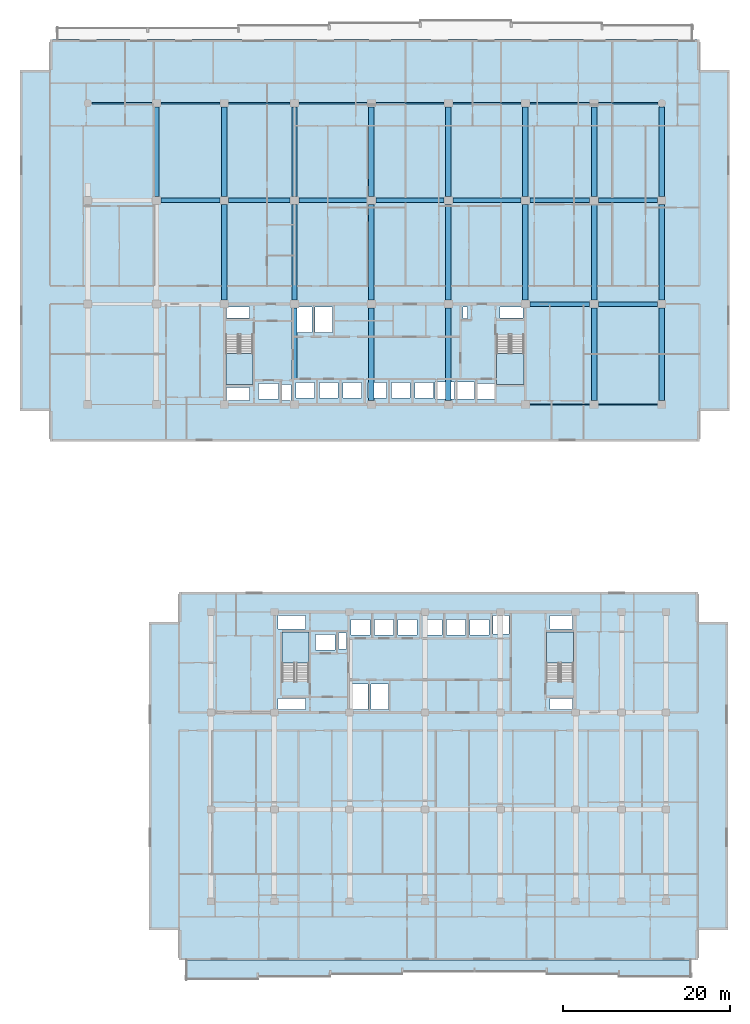
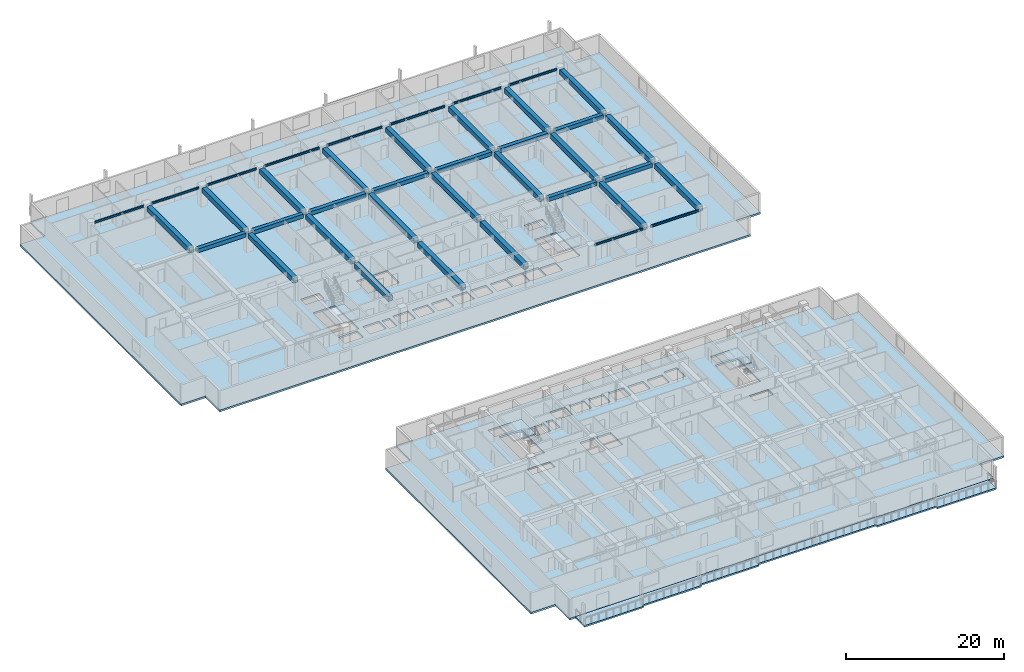
# One storey, part 2 of 23: 39 beams, 7 slabs, 4 elements without a shape of their own.
"""IFC4 building model written with IfcOpenShell, lengths in metres."""

from ifc_helpers import new_model, si_unit, direction, frame, origin, origin_2d, place, context, subcontext, project, spatial, polyline, rectangle, i_section, outline, extrude, material, layer, layer_set, material_profile, profile_set, type_object, element, aggregate, save


model = new_model("IFC4")

# Units and contexts
model_context = context("Model", 3, precision=1e-05, world=origin(), true_north=direction((0.0, 1.0)))
body_context = subcontext(model_context, "Body", "Model", "MODEL_VIEW")
ifc_project = project(units=[si_unit("LENGTHUNIT", "METRE"), si_unit("AREAUNIT", "SQUARE_METRE"), si_unit("VOLUMEUNIT", "CUBIC_METRE"), si_unit("PLANEANGLEUNIT", "RADIAN"), si_unit("MASSUNIT", "GRAM", prefix="KILO")], contexts=[model_context])

# Site, building, storey
site_placement = place(None, origin())
site = spatial("IfcSite", under=ifc_project, at=site_placement, CompositionType="ELEMENT")
building_placement = place(site_placement, origin())
building = spatial("IfcBuilding", under=site, at=building_placement, Name="Korimba Cascade Residences", CompositionType="ELEMENT")
storey_placement = place(building_placement, frame((0.0, 0.0, 33.75)))
storey = spatial("IfcBuildingStorey", under=building, at=storey_placement, Name="L08", CompositionType="ELEMENT", Elevation=33.75)

# Beams
ifc_material_1 = material(Name="Concrete C50/60", Category="concrete")
ifc_material_profile_1 = material_profile(ifc_material_1, rectangle(XDim=0.550048828125, YDim=0.60009765625, at=origin_2d()), Name="Concrete C50/60")
ifc_profile_set_1 = profile_set([ifc_material_profile_1], Name="Concrete C50/60")
beam_type_1 = type_object("IfcBeamType", Name="BM-RC-B600", PredefinedType="BEAM", material=ifc_profile_set_1)
beam_1_placement = place(storey_placement, frame((112.625, 67.199951171875, 2.669921875), z_axis=(1.0, 0.0, 0.0), x_axis=(0.0, 1.0, 0.0)))
element("IfcBeam", 1, at=beam_1_placement, inside=storey, type_object=beam_type_1, Name="L08 T1 E-W Girder Y2 Bay 7", PredefinedType="BEAM", context=body_context, shape_type="SweptSolid", body=[
    extrude(rectangle(XDim=0.550048828125, YDim=0.60009765625, at=origin_2d()), origin(), (0.0, 0.0, 1.0), 7.14990234375),
])
for number, where, z_axis, x_axis, name in (
    (2, (120.824951171875, 67.199951171875, 2.669921875), (1.0, 0.0, 0.0), (0.0, 1.0, 0.0), "L08 T1 E-W Girder Y2 Bay 8"),
    (3, (68.52490234375, 79.60009765625, 2.669921875), (1.0, 0.0, 0.0), (0.0, 1.0, 0.0), "L08 T1 E-W Girder Y3 Bay 2"),
):
    element("IfcBeam", number, at=place(storey_placement, frame(where, z_axis=z_axis, x_axis=x_axis)), inside=storey, type_object=beam_type_1, Name=name, PredefinedType="BEAM", context=body_context, shape_type="SweptSolid", body=[
        extrude(rectangle(XDim=0.550048828125, YDim=0.60009765625, at=origin_2d()), origin(), (0.0, 0.0, 1.0), 7.050048828125),
    ])
beam_2_placement = place(storey_placement, frame((76.625, 79.60009765625, 2.669921875), z_axis=(1.0, 0.0, 0.0), x_axis=(0.0, 1.0, 0.0)))
element("IfcBeam", 4, at=beam_2_placement, inside=storey, type_object=beam_type_1, Name="L08 T1 E-W Girder Y3 Bay 3", PredefinedType="BEAM", context=body_context, shape_type="SweptSolid", body=[
    extrude(rectangle(XDim=0.550048828125, YDim=0.60009765625, at=origin_2d()), origin(), (0.0, 0.0, 1.0), 7.35009765625),
])
beam_3_placement = place(storey_placement, frame((85.02490234375, 79.60009765625, 2.669921875), z_axis=(1.0, 0.0, 0.0), x_axis=(0.0, 1.0, 0.0)))
element("IfcBeam", 5, at=beam_3_placement, inside=storey, type_object=beam_type_1, Name="L08 T1 E-W Girder Y3 Bay 4", PredefinedType="BEAM", context=body_context, shape_type="SweptSolid", body=[
    extrude(rectangle(XDim=0.550048828125, YDim=0.60009765625, at=origin_2d()), origin(), (0.0, 0.0, 1.0), 8.150146484375),
])
for number, where, z_axis, x_axis, name in (
    (6, (94.22509765625, 79.60009765625, 2.669921875), (1.0, 0.0, 0.0), (0.0, 1.0, 0.0), "L08 T1 E-W Girder Y3 Bay 5"),
    (7, (103.425048828125, 79.60009765625, 2.669921875), (1.0, 0.0, 0.0), (0.0, 1.0, 0.0), "L08 T1 E-W Girder Y3 Bay 6"),
):
    element("IfcBeam", number, at=place(storey_placement, frame(where, z_axis=z_axis, x_axis=x_axis)), inside=storey, type_object=beam_type_1, Name=name, PredefinedType="BEAM", context=body_context, shape_type="SweptSolid", body=[
        extrude(rectangle(XDim=0.550048828125, YDim=0.60009765625, at=origin_2d()), origin(), (0.0, 0.0, 1.0), 8.14990234375),
    ])
beam_4_placement = place(storey_placement, frame((112.625, 79.60009765625, 2.669921875), z_axis=(1.0, 0.0, 0.0), x_axis=(0.0, 1.0, 0.0)))
element("IfcBeam", 8, at=beam_4_placement, inside=storey, type_object=beam_type_1, Name="L08 T1 E-W Girder Y3 Bay 7", PredefinedType="BEAM", context=body_context, shape_type="SweptSolid", body=[
    extrude(rectangle(XDim=0.550048828125, YDim=0.60009765625, at=origin_2d()), origin(), (0.0, 0.0, 1.0), 7.14990234375),
])
beam_5_placement = place(storey_placement, frame((120.824951171875, 79.60009765625, 2.669921875), z_axis=(1.0, 0.0, 0.0), x_axis=(0.0, 1.0, 0.0)))
element("IfcBeam", 9, at=beam_5_placement, inside=storey, type_object=beam_type_1, Name="L08 T1 E-W Girder Y3 Bay 8", PredefinedType="BEAM", context=body_context, shape_type="SweptSolid", body=[
    extrude(rectangle(XDim=0.550048828125, YDim=0.60009765625, at=origin_2d()), origin(), (0.0, 0.0, 1.0), 7.050048828125),
])
ifc_material_profile_2 = material_profile(ifc_material_1, rectangle(XDim=0.64990234375, YDim=0.75, at=origin_2d()), Name="Concrete C50/60")
ifc_profile_set_2 = profile_set([ifc_material_profile_2], Name="Concrete C50/60")
beam_type_2 = type_object("IfcBeamType", Name="BM-RC-G750", PredefinedType="BEAM", material=ifc_profile_set_2)
beam_6_placement = place(storey_placement, frame((68.0, 80.074951171875, 2.594970703125), z_axis=(0.0, 1.0, 0.0), x_axis=(-1.0, 0.0, 0.0)))
element("IfcBeam", 10, at=beam_6_placement, inside=storey, type_object=beam_type_2, Name="L08 T1 N-S Girder X2 Seg 3", PredefinedType="BEAM", context=body_context, shape_type="SweptSolid", body=[
    extrude(rectangle(XDim=0.64990234375, YDim=0.75, at=origin_2d()), origin(), (0.0, 0.0, 1.0), 10.650146484375),
])
beam_7_placement = place(storey_placement, frame((76.10009765625, 67.675048828125, 2.594970703125), z_axis=(0.0, 1.0, 0.0), x_axis=(-1.0, 0.0, 0.0)))
element("IfcBeam", 11, at=beam_7_placement, inside=storey, type_object=beam_type_2, Name="L08 T1 N-S Girder X3 Seg 2", PredefinedType="BEAM", context=body_context, shape_type="SweptSolid", body=[
    extrude(rectangle(XDim=0.64990234375, YDim=0.75, at=origin_2d()), origin(), (0.0, 0.0, 1.0), 11.449951171875),
])
beam_8_placement = place(storey_placement, frame((76.10009765625, 80.074951171875, 2.594970703125), z_axis=(0.0, 1.0, 0.0), x_axis=(-1.0, 0.0, 0.0)))
element("IfcBeam", 12, at=beam_8_placement, inside=storey, type_object=beam_type_2, Name="L08 T1 N-S Girder X3 Seg 3", PredefinedType="BEAM", context=body_context, shape_type="SweptSolid", body=[
    extrude(rectangle(XDim=0.64990234375, YDim=0.75, at=origin_2d()), origin(), (0.0, 0.0, 1.0), 10.650146484375),
])
beam_9_placement = place(storey_placement, frame((84.5, 58.159912109375, 2.594970703125), z_axis=(0.0, 1.0, 0.0), x_axis=(-1.0, 0.0, 0.0)))
element("IfcBeam", 13, at=beam_9_placement, inside=storey, type_object=beam_type_2, Name="L08 T1 N-S Girder X4 Seg 1", PredefinedType="BEAM", context=body_context, shape_type="SweptSolid", body=[
    extrude(rectangle(XDim=0.64990234375, YDim=0.75, at=origin_2d()), origin(), (0.0, 0.0, 1.0), 8.565185546875),
])
beam_10_placement = place(storey_placement, frame((84.5, 67.675048828125, 2.594970703125), z_axis=(0.0, 1.0, 0.0), x_axis=(-1.0, 0.0, 0.0)))
element("IfcBeam", 14, at=beam_10_placement, inside=storey, type_object=beam_type_2, Name="L08 T1 N-S Girder X4 Seg 2", PredefinedType="BEAM", context=body_context, shape_type="SweptSolid", body=[
    extrude(rectangle(XDim=0.64990234375, YDim=0.75, at=origin_2d()), origin(), (0.0, 0.0, 1.0), 11.449951171875),
])
beam_11_placement = place(storey_placement, frame((84.5, 80.074951171875, 2.594970703125), z_axis=(0.0, 1.0, 0.0), x_axis=(-1.0, 0.0, 0.0)))
element("IfcBeam", 15, at=beam_11_placement, inside=storey, type_object=beam_type_2, Name="L08 T1 N-S Girder X4 Seg 3", PredefinedType="BEAM", context=body_context, shape_type="SweptSolid", body=[
    extrude(rectangle(XDim=0.64990234375, YDim=0.75, at=origin_2d()), origin(), (0.0, 0.0, 1.0), 10.650146484375),
])
beam_12_placement = place(storey_placement, frame((93.699951171875, 55.675048828125, 2.594970703125), z_axis=(0.0, 1.0, 0.0), x_axis=(-1.0, 0.0, 0.0)))
element("IfcBeam", 16, at=beam_12_placement, inside=storey, type_object=beam_type_2, Name="L08 T1 N-S Girder X5 Seg 1", PredefinedType="BEAM", context=body_context, shape_type="SweptSolid", body=[
    extrude(rectangle(XDim=0.64990234375, YDim=0.75, at=origin_2d()), origin(), (0.0, 0.0, 1.0), 11.050048828125),
])
beam_13_placement = place(storey_placement, frame((93.699951171875, 67.675048828125, 2.594970703125), z_axis=(0.0, 1.0, 0.0), x_axis=(-1.0, 0.0, 0.0)))
element("IfcBeam", 17, at=beam_13_placement, inside=storey, type_object=beam_type_2, Name="L08 T1 N-S Girder X5 Seg 2", PredefinedType="BEAM", context=body_context, shape_type="SweptSolid", body=[
    extrude(rectangle(XDim=0.64990234375, YDim=0.75, at=origin_2d()), origin(), (0.0, 0.0, 1.0), 11.449951171875),
])
beam_14_placement = place(storey_placement, frame((93.699951171875, 80.074951171875, 2.594970703125), z_axis=(0.0, 1.0, 0.0), x_axis=(-1.0, 0.0, 0.0)))
element("IfcBeam", 18, at=beam_14_placement, inside=storey, type_object=beam_type_2, Name="L08 T1 N-S Girder X5 Seg 3", PredefinedType="BEAM", context=body_context, shape_type="SweptSolid", body=[
    extrude(rectangle(XDim=0.64990234375, YDim=0.75, at=origin_2d()), origin(), (0.0, 0.0, 1.0), 10.650146484375),
])
beam_15_placement = place(storey_placement, frame((102.89990234375, 55.675048828125, 2.594970703125), z_axis=(0.0, 1.0, 0.0), x_axis=(-1.0, 0.0, 0.0)))
element("IfcBeam", 19, at=beam_15_placement, inside=storey, type_object=beam_type_2, Name="L08 T1 N-S Girder X6 Seg 1", PredefinedType="BEAM", context=body_context, shape_type="SweptSolid", body=[
    extrude(rectangle(XDim=0.64990234375, YDim=0.75, at=origin_2d()), origin(), (0.0, 0.0, 1.0), 11.050048828125),
])
beam_16_placement = place(storey_placement, frame((102.89990234375, 67.675048828125, 2.594970703125), z_axis=(0.0, 1.0, 0.0), x_axis=(-1.0, 0.0, 0.0)))
element("IfcBeam", 20, at=beam_16_placement, inside=storey, type_object=beam_type_2, Name="L08 T1 N-S Girder X6 Seg 2", PredefinedType="BEAM", context=body_context, shape_type="SweptSolid", body=[
    extrude(rectangle(XDim=0.64990234375, YDim=0.75, at=origin_2d()), origin(), (0.0, 0.0, 1.0), 11.449951171875),
])
beam_17_placement = place(storey_placement, frame((102.89990234375, 80.074951171875, 2.594970703125), z_axis=(0.0, 1.0, 0.0), x_axis=(-1.0, 0.0, 0.0)))
element("IfcBeam", 21, at=beam_17_placement, inside=storey, type_object=beam_type_2, Name="L08 T1 N-S Girder X6 Seg 3", PredefinedType="BEAM", context=body_context, shape_type="SweptSolid", body=[
    extrude(rectangle(XDim=0.64990234375, YDim=0.75, at=origin_2d()), origin(), (0.0, 0.0, 1.0), 10.650146484375),
])
beam_18_placement = place(storey_placement, frame((112.10009765625, 67.675048828125, 2.594970703125), z_axis=(0.0, 1.0, 0.0), x_axis=(-1.0, 0.0, 0.0)))
element("IfcBeam", 22, at=beam_18_placement, inside=storey, type_object=beam_type_2, Name="L08 T1 N-S Girder X7 Seg 2", PredefinedType="BEAM", context=body_context, shape_type="SweptSolid", body=[
    extrude(rectangle(XDim=0.64990234375, YDim=0.75, at=origin_2d()), origin(), (0.0, 0.0, 1.0), 11.449951171875),
])
beam_19_placement = place(storey_placement, frame((112.10009765625, 80.074951171875, 2.594970703125), z_axis=(0.0, 1.0, 0.0), x_axis=(-1.0, 0.0, 0.0)))
element("IfcBeam", 23, at=beam_19_placement, inside=storey, type_object=beam_type_2, Name="L08 T1 N-S Girder X7 Seg 3", PredefinedType="BEAM", context=body_context, shape_type="SweptSolid", body=[
    extrude(rectangle(XDim=0.64990234375, YDim=0.75, at=origin_2d()), origin(), (0.0, 0.0, 1.0), 10.650146484375),
])
beam_20_placement = place(storey_placement, frame((120.300048828125, 55.675048828125, 2.594970703125), z_axis=(0.0, 1.0, 0.0), x_axis=(-1.0, 0.0, 0.0)))
element("IfcBeam", 24, at=beam_20_placement, inside=storey, type_object=beam_type_2, Name="L08 T1 N-S Girder X8 Seg 1", PredefinedType="BEAM", context=body_context, shape_type="SweptSolid", body=[
    extrude(rectangle(XDim=0.64990234375, YDim=0.75, at=origin_2d()), origin(), (0.0, 0.0, 1.0), 11.050048828125),
])
beam_21_placement = place(storey_placement, frame((120.300048828125, 67.675048828125, 2.594970703125), z_axis=(0.0, 1.0, 0.0), x_axis=(-1.0, 0.0, 0.0)))
element("IfcBeam", 25, at=beam_21_placement, inside=storey, type_object=beam_type_2, Name="L08 T1 N-S Girder X8 Seg 2", PredefinedType="BEAM", context=body_context, shape_type="SweptSolid", body=[
    extrude(rectangle(XDim=0.64990234375, YDim=0.75, at=origin_2d()), origin(), (0.0, 0.0, 1.0), 11.449951171875),
])
beam_22_placement = place(storey_placement, frame((120.300048828125, 80.074951171875, 2.594970703125), z_axis=(0.0, 1.0, 0.0), x_axis=(-1.0, 0.0, 0.0)))
element("IfcBeam", 26, at=beam_22_placement, inside=storey, type_object=beam_type_2, Name="L08 T1 N-S Girder X8 Seg 3", PredefinedType="BEAM", context=body_context, shape_type="SweptSolid", body=[
    extrude(rectangle(XDim=0.64990234375, YDim=0.75, at=origin_2d()), origin(), (0.0, 0.0, 1.0), 10.650146484375),
])
beam_23_placement = place(storey_placement, frame((128.39990234375, 55.675048828125, 2.594970703125), z_axis=(0.0, 1.0, 0.0), x_axis=(-1.0, 0.0, 0.0)))
element("IfcBeam", 27, at=beam_23_placement, inside=storey, type_object=beam_type_2, Name="L08 T1 N-S Girder X9 Seg 1", PredefinedType="BEAM", context=body_context, shape_type="SweptSolid", body=[
    extrude(rectangle(XDim=0.64990234375, YDim=0.75, at=origin_2d()), origin(), (0.0, 0.0, 1.0), 11.050048828125),
])
beam_24_placement = place(storey_placement, frame((128.39990234375, 67.675048828125, 2.594970703125), z_axis=(0.0, 1.0, 0.0), x_axis=(-1.0, 0.0, 0.0)))
element("IfcBeam", 28, at=beam_24_placement, inside=storey, type_object=beam_type_2, Name="L08 T1 N-S Girder X9 Seg 2", PredefinedType="BEAM", context=body_context, shape_type="SweptSolid", body=[
    extrude(rectangle(XDim=0.64990234375, YDim=0.75, at=origin_2d()), origin(), (0.0, 0.0, 1.0), 11.449951171875),
])
beam_25_placement = place(storey_placement, frame((128.39990234375, 80.074951171875, 2.594970703125), z_axis=(0.0, 1.0, 0.0), x_axis=(-1.0, 0.0, 0.0)))
element("IfcBeam", 29, at=beam_25_placement, inside=storey, type_object=beam_type_2, Name="L08 T1 N-S Girder X9 Seg 3", PredefinedType="BEAM", context=body_context, shape_type="SweptSolid", body=[
    extrude(rectangle(XDim=0.64990234375, YDim=0.75, at=origin_2d()), origin(), (0.0, 0.0, 1.0), 10.650146484375),
])
ifc_material_2 = material(Name="Steel S355", Category="steel")
ifc_material_profile_3 = material_profile(ifc_material_2, i_section(OverallWidth=0.165771484375, OverallDepth=0.306640625, WebThickness=0.006591796875, FlangeThickness=0.01171875, FilletRadius=0.0087890625, at=origin_2d()), Name="Steel S355")
ifc_profile_set_3 = profile_set([ifc_material_profile_3], Name="Steel S355")
beam_type_3 = type_object("IfcBeamType", Name="BM-STL-UB305", PredefinedType="SPANDREL", material=ifc_profile_set_3)
beam_26_placement = place(storey_placement, frame((112.625, 55.199951171875, 2.816650390625), z_axis=(1.0, 0.0, 0.0), x_axis=(0.0, 1.0, 0.0)))
element("IfcBeam", 30, at=beam_26_placement, inside=storey, type_object=beam_type_3, Name="L08 T1 E-W Girder Y1 Bay 7", PredefinedType="SPANDREL", context=body_context, shape_type="SweptSolid", body=[
    extrude(i_section(OverallWidth=0.165771484375, OverallDepth=0.306640625, WebThickness=0.006591796875, FlangeThickness=0.01171875, FilletRadius=0.0087890625, at=origin_2d()), origin(), (0.0, 0.0, 1.0), 7.14990234375),
])
beam_27_placement = place(storey_placement, frame((120.824951171875, 55.199951171875, 2.816650390625), z_axis=(1.0, 0.0, 0.0), x_axis=(0.0, 1.0, 0.0)))
element("IfcBeam", 31, at=beam_27_placement, inside=storey, type_object=beam_type_3, Name="L08 T1 E-W Girder Y1 Bay 8", PredefinedType="SPANDREL", context=body_context, shape_type="SweptSolid", body=[
    extrude(i_section(OverallWidth=0.165771484375, OverallDepth=0.306640625, WebThickness=0.006591796875, FlangeThickness=0.01171875, FilletRadius=0.0087890625, at=origin_2d()), origin(), (0.0, 0.0, 1.0), 7.050048828125),
])
beam_28_placement = place(storey_placement, frame((60.27490234375, 91.199951171875, 2.816650390625), z_axis=(1.0, 0.0, 0.0), x_axis=(0.0, 1.0, 0.0)))
element("IfcBeam", 32, at=beam_28_placement, inside=storey, type_object=beam_type_3, Name="L08 T1 E-W Girder Y4 Bay 1", PredefinedType="SPANDREL", context=body_context, shape_type="SweptSolid", body=[
    extrude(i_section(OverallWidth=0.165771484375, OverallDepth=0.306640625, WebThickness=0.006591796875, FlangeThickness=0.01171875, FilletRadius=0.0087890625, at=origin_2d()), origin(), (0.0, 0.0, 1.0), 7.2001953125),
])
beam_29_placement = place(storey_placement, frame((68.52490234375, 91.199951171875, 2.816650390625), z_axis=(1.0, 0.0, 0.0), x_axis=(0.0, 1.0, 0.0)))
element("IfcBeam", 33, at=beam_29_placement, inside=storey, type_object=beam_type_3, Name="L08 T1 E-W Girder Y4 Bay 2", PredefinedType="SPANDREL", context=body_context, shape_type="SweptSolid", body=[
    extrude(i_section(OverallWidth=0.165771484375, OverallDepth=0.306640625, WebThickness=0.006591796875, FlangeThickness=0.01171875, FilletRadius=0.0087890625, at=origin_2d()), origin(), (0.0, 0.0, 1.0), 7.050048828125),
])
beam_30_placement = place(storey_placement, frame((76.625, 91.199951171875, 2.816650390625), z_axis=(1.0, 0.0, 0.0), x_axis=(0.0, 1.0, 0.0)))
element("IfcBeam", 34, at=beam_30_placement, inside=storey, type_object=beam_type_3, Name="L08 T1 E-W Girder Y4 Bay 3", PredefinedType="SPANDREL", context=body_context, shape_type="SweptSolid", body=[
    extrude(i_section(OverallWidth=0.165771484375, OverallDepth=0.306640625, WebThickness=0.006591796875, FlangeThickness=0.01171875, FilletRadius=0.0087890625, at=origin_2d()), origin(), (0.0, 0.0, 1.0), 7.35009765625),
])
beam_31_placement = place(storey_placement, frame((85.02490234375, 91.199951171875, 2.816650390625), z_axis=(1.0, 0.0, 0.0), x_axis=(0.0, 1.0, 0.0)))
element("IfcBeam", 35, at=beam_31_placement, inside=storey, type_object=beam_type_3, Name="L08 T1 E-W Girder Y4 Bay 4", PredefinedType="SPANDREL", context=body_context, shape_type="SweptSolid", body=[
    extrude(i_section(OverallWidth=0.165771484375, OverallDepth=0.306640625, WebThickness=0.006591796875, FlangeThickness=0.01171875, FilletRadius=0.0087890625, at=origin_2d()), origin(), (0.0, 0.0, 1.0), 8.150146484375),
])
for number, where, z_axis, x_axis, name in (
    (36, (94.22509765625, 91.199951171875, 2.816650390625), (1.0, 0.0, 0.0), (0.0, 1.0, 0.0), "L08 T1 E-W Girder Y4 Bay 5"),
    (37, (103.425048828125, 91.199951171875, 2.816650390625), (1.0, 0.0, 0.0), (0.0, 1.0, 0.0), "L08 T1 E-W Girder Y4 Bay 6"),
):
    element("IfcBeam", number, at=place(storey_placement, frame(where, z_axis=z_axis, x_axis=x_axis)), inside=storey, type_object=beam_type_3, Name=name, PredefinedType="SPANDREL", context=body_context, shape_type="SweptSolid", body=[
        extrude(i_section(OverallWidth=0.165771484375, OverallDepth=0.306640625, WebThickness=0.006591796875, FlangeThickness=0.01171875, FilletRadius=0.0087890625, at=origin_2d()), origin(), (0.0, 0.0, 1.0), 8.14990234375),
    ])
beam_32_placement = place(storey_placement, frame((112.625, 91.199951171875, 2.816650390625), z_axis=(1.0, 0.0, 0.0), x_axis=(0.0, 1.0, 0.0)))
element("IfcBeam", 38, at=beam_32_placement, inside=storey, type_object=beam_type_3, Name="L08 T1 E-W Girder Y4 Bay 7", PredefinedType="SPANDREL", context=body_context, shape_type="SweptSolid", body=[
    extrude(i_section(OverallWidth=0.165771484375, OverallDepth=0.306640625, WebThickness=0.006591796875, FlangeThickness=0.01171875, FilletRadius=0.0087890625, at=origin_2d()), origin(), (0.0, 0.0, 1.0), 7.14990234375),
])
beam_33_placement = place(storey_placement, frame((120.824951171875, 91.199951171875, 2.816650390625), z_axis=(1.0, 0.0, 0.0), x_axis=(0.0, 1.0, 0.0)))
element("IfcBeam", 39, at=beam_33_placement, inside=storey, type_object=beam_type_3, Name="L08 T1 E-W Girder Y4 Bay 8", PredefinedType="SPANDREL", context=body_context, shape_type="SweptSolid", body=[
    extrude(i_section(OverallWidth=0.165771484375, OverallDepth=0.306640625, WebThickness=0.006591796875, FlangeThickness=0.01171875, FilletRadius=0.0087890625, at=origin_2d()), origin(), (0.0, 0.0, 1.0), 7.10009765625),
])

# Stair, slab
stair_type_1 = type_object("IfcStairType", Name="STR-W1-18R-1806", PredefinedType="HALF_TURN_STAIR", material=ifc_material_1)
stair_1_placement = place(storey_placement, origin())
stair_1 = element("IfcStair", 40, at=stair_1_placement, inside=storey, type_object=stair_type_1, Name="L08 Tower 1 West Fire Stair ST-W1", PredefinedType="HALF_TURN_STAIR")
ifc_layer_1 = layer(ifc_material_1, 0.199951171875)
ifc_layer_set_1 = layer_set([ifc_layer_1], Name="Concrete C50/60")
slab_type_1 = type_object("IfcSlabType", Name="SLB-LND-220", PredefinedType="LANDING", material=ifc_layer_set_1)
slab_1_placement = place(storey_placement, frame((0.0, 0.0, 1.425048828125)))
slab_1 = element("IfcSlab", 41, at=slab_1_placement, type_object=slab_type_1, Name="ST-W1 landing 1", PredefinedType="LANDING", context=body_context, shape_type="SweptSolid", body=[
    extrude(outline(polyline([(76.300048828125, 61.31005859375), (76.300048828125, 57.60009765625), (79.5400390625, 57.60009765625), (79.5400390625, 61.31005859375), (76.300048828125, 61.31005859375)])), origin(), (0.0, 0.0, 1.0), 0.199951171875),
])
aggregate(stair_1, [slab_1])

stair_type_2 = type_object("IfcStairType", Name="STR-W2-18R-1806", PredefinedType="HALF_TURN_STAIR", material=ifc_material_1)
stair_2_placement = place(storey_placement, origin())
stair_2 = element("IfcStair", 42, at=stair_2_placement, inside=storey, type_object=stair_type_2, Name="L08 Tower 1 East Fire Stair ST-W2", PredefinedType="HALF_TURN_STAIR")
slab_2_placement = place(storey_placement, frame((0.0, 0.0, 1.425048828125)))
slab_2 = element("IfcSlab", 43, at=slab_2_placement, type_object=slab_type_1, Name="ST-W2 landing 1", PredefinedType="LANDING", context=body_context, shape_type="SweptSolid", body=[
    extrude(outline(polyline([(108.659912109375, 61.31005859375), (108.659912109375, 57.60009765625), (111.89990234375, 57.60009765625), (111.89990234375, 61.31005859375), (108.659912109375, 61.31005859375)])), origin(), (0.0, 0.0, 1.0), 0.199951171875),
])
aggregate(stair_2, [slab_2])

stair_type_3 = type_object("IfcStairType", Name="STR-E1-18R-1806", PredefinedType="HALF_TURN_STAIR", material=ifc_material_1)
stair_3_placement = place(storey_placement, origin())
stair_3 = element("IfcStair", 44, at=stair_3_placement, inside=storey, type_object=stair_type_3, Name="L08 Tower 2 West Fire Stair ST-E1", PredefinedType="HALF_TURN_STAIR")
slab_3_placement = place(storey_placement, frame((0.0, 0.0, 1.425048828125)))
slab_3 = element("IfcSlab", 45, at=slab_3_placement, type_object=slab_type_1, Name="ST-E1 landing 1", PredefinedType="LANDING", context=body_context, shape_type="SweptSolid", body=[
    extrude(outline(polyline([(86.239990234375, 24.2900390625), (86.239990234375, 28.0), (83.0, 28.0), (83.0, 24.2900390625), (86.239990234375, 24.2900390625)])), origin(), (0.0, 0.0, 1.0), 0.199951171875),
])
aggregate(stair_3, [slab_3])

stair_type_4 = type_object("IfcStairType", Name="STR-E2-18R-1806", PredefinedType="HALF_TURN_STAIR", material=ifc_material_1)
stair_4_placement = place(storey_placement, origin())
stair_4 = element("IfcStair", 46, at=stair_4_placement, inside=storey, type_object=stair_type_4, Name="L08 Tower 2 East Fire Stair ST-E2", PredefinedType="HALF_TURN_STAIR")
slab_4_placement = place(storey_placement, frame((0.0, 0.0, 1.425048828125)))
slab_4 = element("IfcSlab", 47, at=slab_4_placement, type_object=slab_type_1, Name="ST-E2 landing 1", PredefinedType="LANDING", context=body_context, shape_type="SweptSolid", body=[
    extrude(outline(polyline([(117.840087890625, 24.2900390625), (117.840087890625, 28.0), (114.60009765625, 28.0), (114.60009765625, 24.2900390625), (117.840087890625, 24.2900390625)])), origin(), (0.0, 0.0, 1.0), 0.199951171875),
])
aggregate(stair_4, [slab_4])

# Slabs
ifc_material_3 = material(Name="Precast concrete C40/50", Category="concrete")
ifc_layer_2 = layer(ifc_material_3, 0.239990234375)
ifc_layer_set_2 = layer_set([ifc_layer_2], Name="Precast concrete C40/50")
slab_type_2 = type_object("IfcSlabType", Name="SLB-LOG-240", PredefinedType="FLOOR", material=ifc_layer_set_2)
slab_5_placement = place(storey_placement, frame((0.0, 0.0, -0.239990234375)))
element("IfcSlab", 48, at=slab_5_placement, inside=storey, type_object=slab_type_2, Name="L08 Tower 2 South Loggia Slab", PredefinedType="FLOOR", context=body_context, shape_type="SweptSolid", body=[
    extrude(outline(polyline([(71.5, -13.550048828125), (80.128662109375, -13.550048828125), (80.128662109375, -13.25), (88.757080078125, -13.25), (88.757080078125, -12.949951171875), (97.3857421875, -12.949951171875), (97.3857421875, -12.64990234375), (114.642822265625, -12.64990234375), (114.642822265625, -12.949951171875), (123.271484375, -12.949951171875), (123.271484375, -13.25), (131.89990234375, -13.25), (131.89990234375, -11.199951171875), (71.5, -11.199951171875), (71.5, -13.550048828125)])), origin(), (0.0, 0.0, 1.0), 0.239990234375),
])
ifc_layer_3 = layer(ifc_material_1, 0.280029296875)
ifc_layer_set_3 = layer_set([ifc_layer_3], Name="Concrete C50/60")
slab_type_3 = type_object("IfcSlabType", Name="SLB-TYP-280", PredefinedType="FLOOR", material=ifc_layer_set_3)
slab_6_placement = place(storey_placement, frame((0.0, 0.0, -0.280029296875)))
element("IfcSlab", 49, at=slab_6_placement, inside=storey, type_object=slab_type_3, Name="L08 Tower 1 Floor Slab", PredefinedType="FLOOR", context=body_context, shape_type="SweptSolid", body=[
    extrude(outline(polyline([(55.300048828125, 50.800048828125), (132.89990234375, 50.800048828125), (132.89990234375, 54.39990234375), (136.5, 54.39990234375), (136.5, 95.199951171875), (132.89990234375, 95.199951171875), (132.89990234375, 98.800048828125), (55.300048828125, 98.800048828125), (55.300048828125, 95.199951171875), (51.699951171875, 95.199951171875), (51.699951171875, 54.39990234375), (55.300048828125, 54.39990234375), (55.300048828125, 50.800048828125)]), holes=[polyline([(76.300048828125, 63.514892578125), (76.300048828125, 57.60009765625), (79.5400390625, 57.60009765625), (79.5400390625, 63.514892578125), (76.300048828125, 63.514892578125)]), polyline([(108.659912109375, 63.514892578125), (108.659912109375, 57.60009765625), (111.89990234375, 57.60009765625), (111.89990234375, 63.514892578125), (108.659912109375, 63.514892578125)]), polyline([(80.22998046875, 55.8798828125), (82.570068359375, 55.8798828125), (82.570068359375, 57.719970703125), (80.22998046875, 57.719970703125), (80.22998046875, 55.8798828125)]), polyline([(106.080078125, 55.8798828125), (108.419921875, 55.8798828125), (108.419921875, 57.719970703125), (106.080078125, 57.719970703125), (106.080078125, 55.8798828125)]), polyline([(84.679931640625, 55.97998046875), (86.919921875, 55.97998046875), (86.919921875, 57.820068359375), (84.679931640625, 57.820068359375), (84.679931640625, 55.97998046875)]), polyline([(87.47998046875, 55.97998046875), (89.719970703125, 55.97998046875), (89.719970703125, 57.820068359375), (87.47998046875, 57.820068359375), (87.47998046875, 55.97998046875)]), polyline([(90.280029296875, 55.97998046875), (92.52001953125, 55.97998046875), (92.52001953125, 57.820068359375), (90.280029296875, 57.820068359375), (90.280029296875, 55.97998046875)]), polyline([(93.280029296875, 55.97998046875), (95.52001953125, 55.97998046875), (95.52001953125, 57.820068359375), (93.280029296875, 57.820068359375), (93.280029296875, 55.97998046875)]), polyline([(96.080078125, 55.97998046875), (98.320068359375, 55.97998046875), (98.320068359375, 57.820068359375), (96.080078125, 57.820068359375), (96.080078125, 55.97998046875)]), polyline([(98.8798828125, 55.97998046875), (101.1201171875, 55.97998046875), (101.1201171875, 57.820068359375), (98.8798828125, 57.820068359375), (98.8798828125, 55.97998046875)]), polyline([(101.304931640625, 55.8798828125), (103.594970703125, 55.8798828125), (103.594970703125, 57.919921875), (101.304931640625, 57.919921875), (101.304931640625, 55.8798828125)]), polyline([(103.705078125, 55.8798828125), (105.9951171875, 55.8798828125), (105.9951171875, 57.919921875), (103.705078125, 57.919921875), (103.705078125, 55.8798828125)]), polyline([(82.97998046875, 55.679931640625), (84.080078125, 55.679931640625), (84.080078125, 57.6201171875), (82.97998046875, 57.6201171875), (82.97998046875, 55.679931640625)]), polyline([(76.39990234375, 65.56005859375), (79.10009765625, 65.56005859375), (79.10009765625, 66.8798828125), (76.39990234375, 66.8798828125), (76.39990234375, 65.56005859375)]), polyline([(76.39990234375, 55.679931640625), (79.10009765625, 55.679931640625), (79.10009765625, 57.239990234375), (76.39990234375, 57.239990234375), (76.39990234375, 55.679931640625)]), polyline([(84.530029296875, 63.820068359375), (86.6201171875, 63.820068359375), (86.6201171875, 66.8798828125), (84.530029296875, 66.8798828125), (84.530029296875, 63.820068359375)]), polyline([(86.97998046875, 63.820068359375), (89.070068359375, 63.820068359375), (89.070068359375, 66.8798828125), (86.97998046875, 66.8798828125), (86.97998046875, 63.820068359375)]), polyline([(104.6201171875, 65.4599609375), (105.179931640625, 65.4599609375), (105.179931640625, 66.8798828125), (104.6201171875, 66.8798828125), (104.6201171875, 65.4599609375)]), polyline([(109.080078125, 65.56005859375), (111.800048828125, 65.56005859375), (111.800048828125, 66.8798828125), (109.080078125, 66.8798828125), (109.080078125, 65.56005859375)])]), origin(), (0.0, 0.0, 1.0), 0.280029296875),
])
slab_7_placement = place(storey_placement, frame((0.0, 0.0, -0.280029296875)))
element("IfcSlab", 50, at=slab_7_placement, inside=storey, type_object=slab_type_3, Name="L08 Tower 2 Floor Slab", PredefinedType="FLOOR", context=body_context, shape_type="SweptSolid", body=[
    extrude(outline(polyline([(70.699951171875, -11.199951171875), (132.699951171875, -11.199951171875), (132.699951171875, -7.60009765625), (136.300048828125, -7.60009765625), (136.300048828125, 29.199951171875), (132.699951171875, 29.199951171875), (132.699951171875, 32.800048828125), (70.699951171875, 32.800048828125), (70.699951171875, 29.199951171875), (67.10009765625, 29.199951171875), (67.10009765625, -7.60009765625), (70.699951171875, -7.60009765625), (70.699951171875, -11.199951171875)]), holes=[polyline([(86.239990234375, 22.0849609375), (86.239990234375, 28.0), (83.0, 28.0), (83.0, 22.0849609375), (86.239990234375, 22.0849609375)]), polyline([(117.840087890625, 22.0849609375), (117.840087890625, 28.0), (114.60009765625, 28.0), (114.60009765625, 22.0849609375), (117.840087890625, 22.0849609375)]), polyline([(87.030029296875, 25.8798828125), (89.3701171875, 25.8798828125), (89.3701171875, 27.719970703125), (87.030029296875, 27.719970703125), (87.030029296875, 25.8798828125)]), polyline([(91.280029296875, 27.679931640625), (93.52001953125, 27.679931640625), (93.52001953125, 29.52001953125), (91.280029296875, 29.52001953125), (91.280029296875, 27.679931640625)]), polyline([(94.080078125, 27.679931640625), (96.320068359375, 27.679931640625), (96.320068359375, 29.52001953125), (94.080078125, 29.52001953125), (94.080078125, 27.679931640625)]), polyline([(96.8798828125, 27.679931640625), (99.1201171875, 27.679931640625), (99.1201171875, 29.52001953125), (96.8798828125, 29.52001953125), (96.8798828125, 27.679931640625)]), polyline([(99.8798828125, 27.679931640625), (102.1201171875, 27.679931640625), (102.1201171875, 29.52001953125), (99.8798828125, 29.52001953125), (99.8798828125, 27.679931640625)]), polyline([(102.679931640625, 27.679931640625), (104.919921875, 27.679931640625), (104.919921875, 29.52001953125), (102.679931640625, 29.52001953125), (102.679931640625, 27.679931640625)]), polyline([(105.47998046875, 27.679931640625), (107.719970703125, 27.679931640625), (107.719970703125, 29.52001953125), (105.47998046875, 29.52001953125), (105.47998046875, 27.679931640625)]), polyline([(89.780029296875, 25.97998046875), (90.719970703125, 25.97998046875), (90.719970703125, 27.919921875), (89.780029296875, 27.919921875), (89.780029296875, 25.97998046875)]), polyline([(82.530029296875, 18.72998046875), (85.800048828125, 18.72998046875), (85.800048828125, 20.0400390625), (82.530029296875, 20.0400390625), (82.530029296875, 18.72998046875)]), polyline([(82.530029296875, 28.360107421875), (85.800048828125, 28.360107421875), (85.800048828125, 29.969970703125), (82.530029296875, 29.969970703125), (82.530029296875, 28.360107421875)]), polyline([(108.22998046875, 27.780029296875), (110.1201171875, 27.780029296875), (110.1201171875, 29.969970703125), (108.22998046875, 29.969970703125), (108.22998046875, 27.780029296875)]), polyline([(91.22998046875, 18.72998046875), (93.27001953125, 18.72998046875), (93.27001953125, 21.780029296875), (91.22998046875, 21.780029296875), (91.22998046875, 18.72998046875)]), polyline([(93.6298828125, 18.72998046875), (95.719970703125, 18.72998046875), (95.719970703125, 21.780029296875), (93.6298828125, 21.780029296875), (93.6298828125, 18.72998046875)]), polyline([(115.02001953125, 18.72998046875), (117.739990234375, 18.72998046875), (117.739990234375, 20.0400390625), (115.02001953125, 20.0400390625), (115.02001953125, 18.72998046875)]), polyline([(115.02001953125, 28.360107421875), (117.739990234375, 28.360107421875), (117.739990234375, 29.969970703125), (115.02001953125, 29.969970703125), (115.02001953125, 28.360107421875)])]), origin(), (0.0, 0.0, 1.0), 0.280029296875),
])

save(model, "model.ifc")
